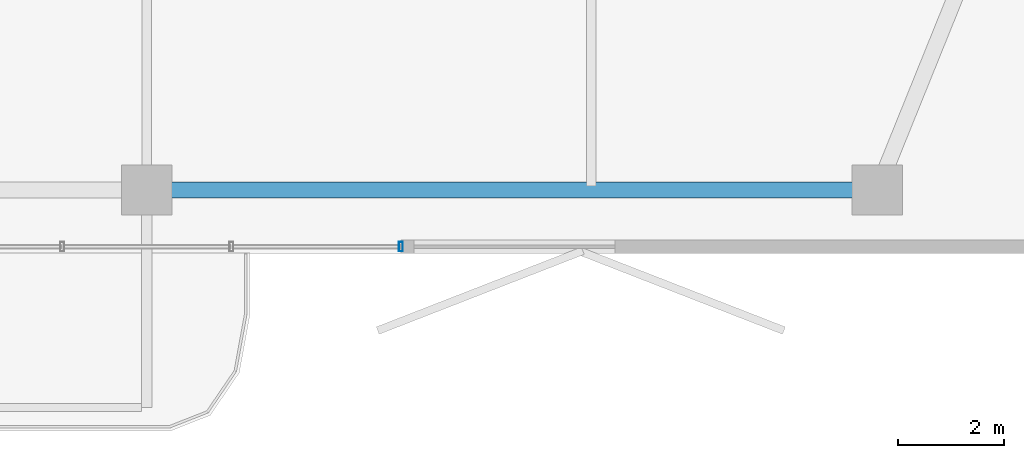
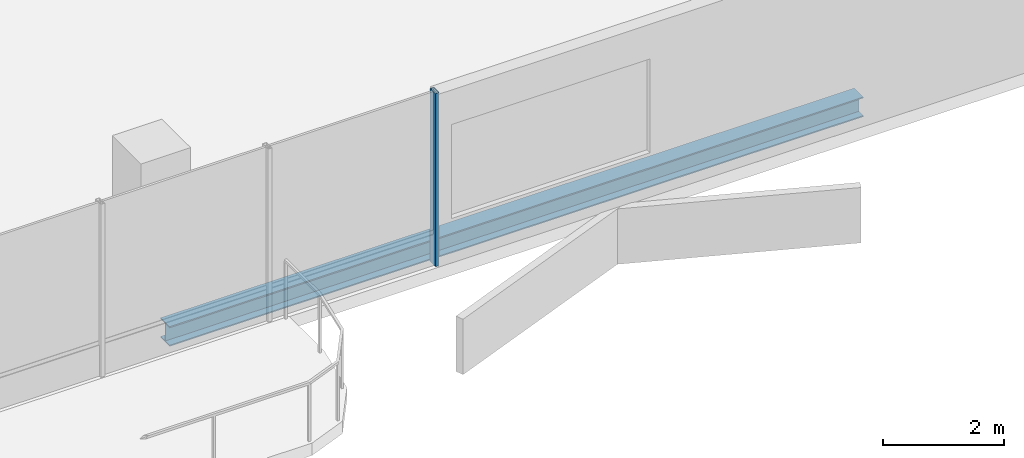
# One storey, part 8 of 23: 1 beam, 1 member, 1 element without a shape of its own.
"""IFC4 building model written with IfcOpenShell, lengths in metres."""

from ifc_helpers import new_model, si_unit, direction, frame, origin, origin_2d, place, context, subcontext, project, spatial, hollow_rectangle, i_section, extrude, material, layer, layer_set, material_profile, profile_set, type_object, element, aggregate, save


model = new_model("IFC4")

# Units and contexts
model_context = context("Model", 3, precision=1e-05, world=origin(), true_north=direction((0.0, 1.0)))
body_context = subcontext(model_context, "Body", "Model", "MODEL_VIEW")
ifc_project = project(units=[si_unit("LENGTHUNIT", "METRE"), si_unit("AREAUNIT", "SQUARE_METRE"), si_unit("VOLUMEUNIT", "CUBIC_METRE"), si_unit("PLANEANGLEUNIT", "RADIAN"), si_unit("MASSUNIT", "GRAM", prefix="KILO")], contexts=[model_context])

# Site, building, storey
site_placement = place(None, origin())
site = spatial("IfcSite", under=ifc_project, at=site_placement, CompositionType="ELEMENT")
building_placement = place(site_placement, origin())
building = spatial("IfcBuilding", under=site, at=building_placement, Name="Belovzor Exchange Tower", CompositionType="ELEMENT")
storey_placement = place(building_placement, frame((0.0, 0.0, 276.60009765625)))
storey = spatial("IfcBuildingStorey", under=building, at=storey_placement, Name="L69", CompositionType="ELEMENT", Elevation=276.60009765625)

# Curtain wall, member
ifc_material_1 = material(Name="Anodised Aluminium Framing", Category="aluminium")
ifc_layer = layer(ifc_material_1, 0.179931640625)
ifc_layer_set = layer_set([ifc_layer], Name="Anodised Aluminium Framing")
curtain_wall_type = type_object("IfcCurtainWallType", Name="Recessed Loggia Low-Iron Triple-Glazed Curtain Wall", PredefinedType="NOTDEFINED", material=ifc_layer_set)
curtain_wall_placement = place(storey_placement, origin())
curtain_wall = element("IfcCurtainWall", 1, at=curtain_wall_placement, inside=storey, type_object=curtain_wall_type, Name="CW3 Recessed Loggia Low-Iron Triple-Glazed Curtain Wall L69", PredefinedType="NOTDEFINED")
ifc_material_2 = material(Name="Steel S355", Category="steel")
ifc_material_profile_1 = material_profile(ifc_material_2, hollow_rectangle(XDim=0.074951171875, YDim=0.179931640625, WallThickness=0.0048828125, at=origin_2d()))
ifc_profile_set_1 = profile_set([ifc_material_profile_1], Name="Steel S355")
member_type = type_object("IfcMemberType", Name="Thermally Broken Curtain Wall Mullion 180x75", PredefinedType="MULLION", material=ifc_profile_set_1)
member_placement = place(storey_placement, frame((33.60009765625, 4.030029296875, 0.0), z_axis=(0.0, 0.0, 1.0), x_axis=(-1.0, 0.0, 0.0)))
member = element("IfcMember", 2, at=member_placement, type_object=member_type, Name="CW-M180 Curtain Wall Mullion 1", PredefinedType="MULLION", context=body_context, shape_type="SweptSolid", body=[
    extrude(hollow_rectangle(XDim=0.074951171875, YDim=0.179931640625, WallThickness=0.0048828125, at=origin_2d()), origin(), (0.0, 0.0, 1.0), 3.5),
])
aggregate(curtain_wall, [member])

# Beam
ifc_material_3 = material(Name="Steel S355", Category="steel")
ifc_material_profile_2 = material_profile(ifc_material_3, i_section(OverallWidth=0.300048828125, OverallDepth=0.39990234375, WebThickness=0.013427734375, FlangeThickness=0.02392578125, at=origin_2d()))
ifc_profile_set_2 = profile_set([ifc_material_profile_2], Name="Steel S355")
beam_type = type_object("IfcBeamType", Name="Zone 5 Primary Girder HEB 400", PredefinedType="BEAM", material=ifc_profile_set_2)
beam_placement = place(storey_placement, frame((29.06103515625, 5.10009765625, -0.4501953125), z_axis=(1.0, 0.0, 0.0), x_axis=(0.0, 1.0, 0.0)))
element("IfcBeam", 3, at=beam_placement, inside=storey, type_object=beam_type, Name="FG-Z5 Zone 5 Primary Girder HEB 400", PredefinedType="BEAM", context=body_context, shape_type="SweptSolid", body=[
    extrude(i_section(OverallWidth=0.300048828125, OverallDepth=0.39990234375, WebThickness=0.013427734375, FlangeThickness=0.02392578125, at=origin_2d()), origin(), (0.0, 0.0, 1.0), 13.278076171875),
])

save(model, "model.ifc")
